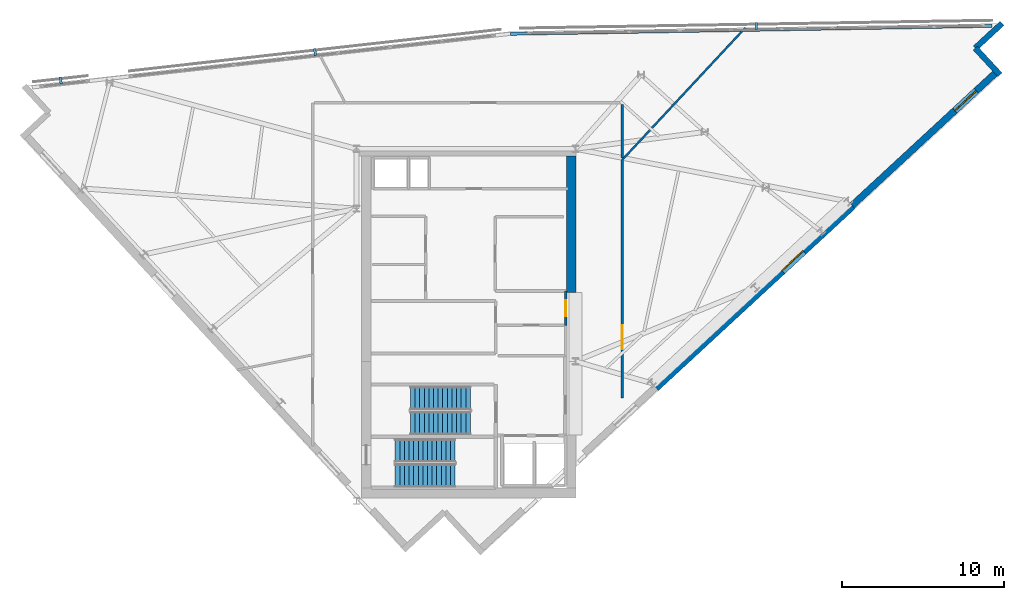
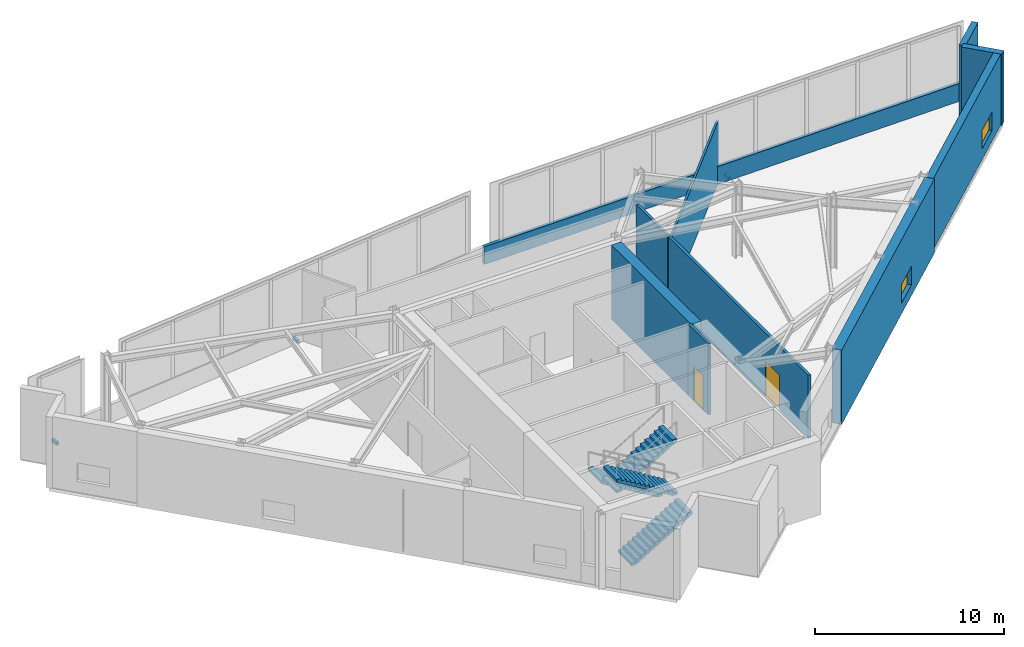
# One storey, part 10 of 12: 10 walls, 4 stair flights, 3 discrete accessories, 2 doors, 2 windows, 4 openings, 2 elements without a shape of their own.
"""IFC4 building model written with IfcOpenShell, lengths in metres."""

from ifc_helpers import new_model, si_unit, direction, frame, frame_2d, origin, origin_2d, place, context, subcontext, project, spatial, polyline, rectangle, outline, extrude, material, layer, layer_set, type_object, element, fill, aggregate, save


model = new_model("IFC4")

# Units and contexts
model_context = context("Model", 3, precision=1e-05, world=origin(), true_north=direction((0.0, 1.0)))
body_context = subcontext(model_context, "Body", "Model", "MODEL_VIEW")
ifc_project = project(units=[si_unit("LENGTHUNIT", "METRE"), si_unit("AREAUNIT", "SQUARE_METRE"), si_unit("VOLUMEUNIT", "CUBIC_METRE"), si_unit("PLANEANGLEUNIT", "RADIAN"), si_unit("MASSUNIT", "GRAM", prefix="KILO")], contexts=[model_context])

# Site, building, storey
site_placement = place(None, origin())
site = spatial("IfcSite", under=ifc_project, at=site_placement, CompositionType="ELEMENT")
building_placement = place(site_placement, origin())
building = spatial("IfcBuilding", under=site, at=building_placement, Name="Narakoshi Arena Tower", CompositionType="ELEMENT")
storey_placement = place(building_placement, frame((0.0, 0.0, 298.179931640625)))
storey = spatial("IfcBuildingStorey", under=building, at=storey_placement, Name="L81", CompositionType="ELEMENT", Elevation=298.179931640625)

# Wall
ifc_material_1 = material(Name="Concrete C50/60", Category="concrete")
ifc_layer_1 = layer(ifc_material_1, 0.60009765625)
ifc_layer_set_1 = layer_set([ifc_layer_1], Name="Concrete C50/60")
wall_type_1 = type_object("IfcWallType", Name="WL-CORE-600", PredefinedType="SHEAR", material=ifc_layer_set_1)
wall_1_placement = place(storey_placement, frame((85.300048828125, 47.60009765625, -0.199951171875), z_axis=(0.0, 0.0, 1.0), x_axis=(0.0, 1.0, 0.0)))
element("IfcWall", 1, at=wall_1_placement, inside=storey, type_object=wall_type_1, Name="L81 Main Core Shear Wall CW-MN-E", PredefinedType="SHEAR", context=body_context, shape_type="SweptSolid", body=[
    extrude(rectangle(XDim=8.449951171875, YDim=0.60009765625, at=frame_2d((4.22509765625, 0.0))), origin(), (0.0, 0.0, 1.0), 4.800048828125),
])

# Wall, opening, door
ifc_material_2 = material(Name="Gypsum plasterboard fire-rated partition")
ifc_layer_2 = layer(ifc_material_2, 0.1650390625)
ifc_layer_set_2 = layer_set([ifc_layer_2], Name="Gypsum plasterboard fire-rated partition")
wall_type_2 = type_object("IfcWallType", Name="WL-CORR-165", PredefinedType="PARTITIONING", material=ifc_layer_set_2)
wall_2_placement = place(storey_placement, frame((84.949951171875, 45.580078125, 0.0), z_axis=(0.0, 0.0, 1.0), x_axis=(0.0, 1.0, 0.0)))
wall_2 = element("IfcWall", 2, at=wall_2_placement, inside=storey, type_object=wall_type_2, Name="L81 Core Wall CPAS-E", PredefinedType="PARTITIONING", context=body_context, shape_type="SweptSolid", body=[
    extrude(rectangle(XDim=2.119873046875, YDim=0.1650390625, at=frame_2d((1.06005859375, 0.0))), origin(), (0.0, 0.0, 1.0), 4.60009765625),
])
opening_1_placement = place(wall_2_placement, frame((0.56005859375, 0.0, 0.0)))
opening_1 = element("IfcOpeningElement", 3, at=opening_1_placement, cuts=wall_2, Name="Opening D-06", PredefinedType="OPENING", context=body_context, shape_type="SweptSolid", body=[
    extrude(rectangle(XDim=1.0, YDim=2.199951171875, at=frame_2d((0.5, 1.10009765625))), frame((0.0, 0.092529296875, 0.0), z_axis=(0.0, -1.0, 0.0), x_axis=(1.0, 0.0, 0.0)), (0.0, 0.0, 1.0), 0.18505859375),
])
ifc_material_3 = material(Name="Stained oak solid-core timber", Category="wood")
door_type_1 = type_object("IfcDoorType", Name="DR-OFF-1000", OperationType="NOTDEFINED", PredefinedType="DOOR", material=ifc_material_3)
door_1_placement = place(opening_1_placement, frame((1.0, 0.0, 0.0), z_axis=(0.0, 0.0, 1.0), x_axis=(-1.0, 0.0, 0.0)))
door_1 = element("IfcDoor", 4, at=door_1_placement, inside=storey, type_object=door_type_1, Name="DR-L81-007", OperationType="SINGLE_SWING_LEFT", OverallHeight=2.199951171875, OverallWidth=1.0, PredefinedType="DOOR", context=body_context, shape_type="SweptSolid", body=[
    extrude(rectangle(XDim=1.0, YDim=2.199951171875, at=frame_2d((0.5, 1.10009765625))), frame((0.0, 0.02490234375, 0.0), z_axis=(0.0, -1.0, 0.0), x_axis=(1.0, 0.0, 0.0)), (0.0, 0.0, 1.0), 0.050048828125),
])
fill(opening_1, door_1)

wall_3_placement = place(storey_placement, frame((88.449951171875, 41.06201171875, 0.0), z_axis=(0.0, 0.0, 1.0), x_axis=(0.0, 1.0, 0.0)))
wall_3 = element("IfcWall", 5, at=wall_3_placement, inside=storey, type_object=wall_type_2, Name="L81 Corridor Partition 02-1", PredefinedType="PARTITIONING", context=body_context, shape_type="SweptSolid", body=[
    extrude(rectangle(XDim=14.77880859375, YDim=0.1650390625, at=frame_2d((7.389404296875, 0.0))), origin(), (0.0, 0.0, 1.0), 4.0849609375),
])
opening_2_placement = place(wall_3_placement, frame((3.033203125, 0.0, 0.0)))
opening_2 = element("IfcOpeningElement", 6, at=opening_2_placement, cuts=wall_3, Name="Opening D-09", PredefinedType="OPENING", context=body_context, shape_type="SweptSolid", body=[
    extrude(rectangle(XDim=1.5, YDim=2.25, at=frame_2d((0.75, 1.125))), frame((0.0, 0.092529296875, 0.0), z_axis=(0.0, -1.0, 0.0), x_axis=(1.0, 0.0, 0.0)), (0.0, 0.0, 1.0), 0.18505859375),
])
ifc_material_4 = material(Name="Painted galvanized steel", Category="steel")
door_type_2 = type_object("IfcDoorType", Name="DR-PLT-1500", OperationType="DOUBLE_DOOR_SINGLE_SWING", PredefinedType="DOOR", material=ifc_material_4)
door_2_placement = place(opening_2_placement, frame((1.5, 0.0, 0.0), z_axis=(0.0, 0.0, 1.0), x_axis=(-1.0, 0.0, 0.0)))
door_2 = element("IfcDoor", 7, at=door_2_placement, inside=storey, type_object=door_type_2, Name="DR-L81-014", OperationType="DOUBLE_DOOR_SINGLE_SWING", OverallHeight=2.25, OverallWidth=1.5, PredefinedType="DOOR", context=body_context, shape_type="SweptSolid", body=[
    extrude(rectangle(XDim=1.5, YDim=2.25, at=frame_2d((0.75, 1.125))), frame((0.0, 0.02490234375, 0.0), z_axis=(0.0, -1.0, 0.0), x_axis=(1.0, 0.0, 0.0)), (0.0, 0.0, 1.0), 0.050048828125),
])
fill(opening_2, door_2)

# Wall
wall_4_placement = place(storey_placement, frame((88.449951171875, 55.925048828125, 0.0), z_axis=(0.0, 0.0, 1.0), x_axis=(0.0, 1.0, 0.0)))
element("IfcWall", 8, at=wall_4_placement, inside=storey, type_object=wall_type_2, Name="L81 Corridor Partition 03-2", PredefinedType="PARTITIONING", context=body_context, shape_type="SweptSolid", body=[
    extrude(rectangle(XDim=3.33056640625, YDim=0.1650390625, at=frame_2d((1.665283203125, 0.0))), origin(), (0.0, 0.0, 1.0), 4.0849609375),
])

# Wall, opening, window
ifc_layer_3 = layer(ifc_material_1, 0.550048828125)
ifc_layer_set_3 = layer_set([ifc_layer_3], Name="Concrete C50/60")
wall_type_3 = type_object("IfcWallType", Name="WL-LEG-550", PredefinedType="SHEAR", material=ifc_layer_set_3)
wall_5_placement = place(storey_placement, frame((90.5078125, 41.739501953125, -0.199951171875), z_axis=(0.0, 0.0, 1.0), x_axis=(0.734315848115, 0.678807951638, 0.0)))
wall_5 = element("IfcWall", 9, at=wall_5_placement, inside=storey, type_object=wall_type_3, Name="L81 Architectural Concrete Structural Wall LEGA-3", PredefinedType="SHEAR", context=body_context, shape_type="SweptSolid", body=[
    extrude(outline(polyline([(0.0, 0.0), (16.57275390625, 0.0), (16.572998046875, 4.800048828125), (0.0, 4.800048828125), (0.0, 0.0)])), frame((0.0, 0.27490234375, 0.0), z_axis=(0.0, -1.0, 0.0), x_axis=(1.0, 0.0, 0.0)), (0.0, 0.0, 1.0), 0.550048828125),
])
opening_3_placement = place(wall_5_placement, frame((10.654052734375, 0.0, 0.699951171875)))
opening_3 = element("IfcOpeningElement", 10, at=opening_3_placement, cuts=wall_5, Name="Opening WN-05", PredefinedType="OPENING", context=body_context, shape_type="SweptSolid", body=[
    extrude(rectangle(XDim=1.800048828125, YDim=1.199951171875, at=frame_2d((0.89990234375, 0.60009765625))), frame((0.0, 0.284912109375, 0.0), z_axis=(0.0, -1.0, 0.0), x_axis=(1.0, 0.0, 0.0)), (0.0, 0.0, 1.0), 0.570068359375),
])
ifc_material_5 = material(Name="Bronze-tinted low-E laminated glass", Category="glass")
window_type = type_object("IfcWindowType", Name="WIN-SLT-18x12", PartitioningType="SINGLE_PANEL", PredefinedType="WINDOW", material=ifc_material_5)
window_1_placement = place(opening_3_placement, origin())
window_1 = element("IfcWindow", 11, at=window_1_placement, inside=storey, type_object=window_type, Name="L81 LEGA3 Horizontal Slot Window 1", OverallHeight=1.199951171875, OverallWidth=1.800048828125, PartitioningType="SINGLE_PANEL", PredefinedType="WINDOW", context=body_context, shape_type="SweptSolid", body=[
    extrude(rectangle(XDim=1.800048828125, YDim=1.199951171875, at=frame_2d((0.89990234375, 0.60009765625))), frame((0.0, 0.030029296875, 0.0), z_axis=(0.0, -1.0, 0.0), x_axis=(1.0, 0.0, 0.0)), (0.0, 0.0, 1.0), 0.06005859375),
])
fill(opening_3, window_1)

# Walls
ifc_material_6 = material(Name="Precast concrete C45/55", Category="concrete")
ifc_layer_4 = layer(ifc_material_6, 0.25)
ifc_layer_set_4 = layer_set([ifc_layer_4], Name="Precast concrete C45/55")
wall_type_4 = type_object("IfcWallType", Name="WL-PARA-250", PredefinedType="PARAPET", material=ifc_layer_set_4)
wall_6_placement = place(storey_placement, frame((81.5478515625, 63.622802734375, 0.0), z_axis=(0.0, 0.0, 1.0), x_axis=(0.999864617327, 0.016454392015, 0.0)))
element("IfcWall", 12, at=wall_6_placement, inside=storey, type_object=wall_type_4, Name="L81 Crown Sill Upstand Parapet 04", PredefinedType="PARAPET", context=body_context, shape_type="SweptSolid", body=[
    extrude(rectangle(XDim=29.77880859375, YDim=0.199951171875, at=frame_2d((14.889404296875, 0.0))), origin(), (0.0, 0.0, 1.0), 1.150146484375),
])
ifc_layer_5 = layer(ifc_material_2, 0.125)
ifc_layer_set_5 = layer_set([ifc_layer_5], Name="Gypsum plasterboard fire-rated partition")
wall_type_5 = type_object("IfcWallType", Name="WL-PART-125", PredefinedType="PARTITIONING", material=ifc_layer_set_5)
wall_7_placement = place(storey_placement, frame((88.47314453125, 55.8408203125, 0.0), z_axis=(0.0, 0.0, 1.0), x_axis=(0.681680867202, 0.731649639712, 0.0)))
element("IfcWall", 13, at=wall_7_placement, inside=storey, type_object=wall_type_5, Name="L81 Inter-Room Partition 02-03", PredefinedType="PARTITIONING", context=body_context, shape_type="SweptSolid", body=[
    extrude(rectangle(XDim=11.154541015625, YDim=0.125, at=frame_2d((5.5771484375, 0.0))), origin(), (0.0, 0.0, 1.0), 3.985107421875),
])

# Wall, opening, window
ifc_layer_6 = layer(ifc_material_6, 0.419921875)
ifc_layer_set_6 = layer_set([ifc_layer_6], Name="Precast concrete C45/55")
wall_type_6 = type_object("IfcWallType", Name="WL-POD-420", PredefinedType="SOLIDWALL", material=ifc_layer_set_6)
wall_8_placement = place(storey_placement, frame((102.677490234375, 52.9892578125, 0.0), z_axis=(0.0, 0.0, 1.0), x_axis=(0.734331107219, 0.678791444386, 0.0)))
wall_8 = element("IfcWall", 14, at=wall_8_placement, inside=storey, type_object=wall_type_6, Name="L81 Architectural Concrete Facade Wall LEGA-4", PredefinedType="SOLIDWALL", context=body_context, shape_type="SweptSolid", body=[
    extrude(outline(polyline([(0.0, 0.0), (12.21142578125, 0.0), (12.211669921875, 4.60009765625), (0.0, 4.60009765625), (0.0, 0.0)])), frame((0.0, 0.2099609375, 0.0), z_axis=(0.0, -1.0, 0.0), x_axis=(1.0, 0.0, 0.0)), (0.0, 0.0, 1.0), 0.419921875),
])
opening_4_placement = place(wall_8_placement, frame((8.665283203125, 0.0, 0.699951171875)))
opening_4 = element("IfcOpeningElement", 15, at=opening_4_placement, cuts=wall_8, Name="Opening WN-05", PredefinedType="OPENING", context=body_context, shape_type="SweptSolid", body=[
    extrude(rectangle(XDim=1.800048828125, YDim=1.199951171875, at=frame_2d((0.89990234375, 0.60009765625))), frame((0.0, 0.219970703125, 0.0), z_axis=(0.0, -1.0, 0.0), x_axis=(1.0, 0.0, 0.0)), (0.0, 0.0, 1.0), 0.43994140625),
])
window_2_placement = place(opening_4_placement, origin())
window_2 = element("IfcWindow", 16, at=window_2_placement, inside=storey, type_object=window_type, Name="L81 LEGA4 Horizontal Slot Window 1", OverallHeight=1.199951171875, OverallWidth=1.800048828125, PartitioningType="SINGLE_PANEL", PredefinedType="WINDOW", context=body_context, shape_type="SweptSolid", body=[
    extrude(rectangle(XDim=1.800048828125, YDim=1.199951171875, at=frame_2d((0.89990234375, 0.60009765625))), frame((0.0, 0.030029296875, 0.0), z_axis=(0.0, -1.0, 0.0), x_axis=(1.0, 0.0, 0.0)), (0.0, 0.0, 1.0), 0.06005859375),
])
fill(opening_4, window_2)

# Walls
for number, where, z_axis, x_axis, name in (
    (17, (111.83154296875, 61.076416015625, 0.0), (0.0, 0.0, 1.0), (-0.678792531533, 0.734330102294, 0.0), "L81 Re-Entrant Corner Notch Wall NTE-1"),
    (18, (110.30078125, 62.732421875, 0.0), (0.0, 0.0, 1.0), (0.734330102294, 0.678792531533, 0.0), "L81 Re-Entrant Corner Notch Wall NTE-2"),
):
    element("IfcWall", number, at=place(storey_placement, frame(where, z_axis=z_axis, x_axis=x_axis)), inside=storey, type_object=wall_type_6, Name=name, PredefinedType="SOLIDWALL", context=body_context, shape_type="SweptSolid", body=[
        extrude(rectangle(XDim=2.255126953125, YDim=0.360107421875, at=frame_2d((1.12744140625, 0.0))), origin(), (0.0, 0.0, 1.0), 4.60009765625),
    ])

# Stair, stair flights
ifc_material_7 = material(Name="Concrete C45/55", Category="concrete")
stair_type = type_object("IfcStairType", Name="STR-CRN-480", PredefinedType="TWO_STRAIGHT_RUN_STAIR", material=ifc_material_7)
stair_1_placement = place(storey_placement, origin())
stair_1 = element("IfcStair", 19, at=stair_1_placement, inside=storey, type_object=stair_type, Name="L81 Core Escape Stair ST1", PredefinedType="TWO_STRAIGHT_RUN_STAIR")
stair_flight_type = type_object("IfcStairFlightType", Name="FLT-135-160", PredefinedType="STRAIGHT", material=ifc_material_6)
stair_flight_1_placement = place(storey_placement, frame((74.39990234375, 36.27490234375, 0.0), z_axis=(0.0, 0.0, 1.0), x_axis=(1.0, 0.0, 0.0)))
stair_flight_1 = element("IfcStairFlight", 20, at=stair_flight_1_placement, type_object=stair_flight_type, Name="ST1 flight 1", NumberOfRisers=14, NumberOfTreads=13, PredefinedType="STRAIGHT", RiserHeight=0.171428571, TreadLength=0.285, context=body_context, shape_type="SweptSolid", body=[
    extrude(outline(polyline([(0.0, 0.0), (0.0, 0.17138671875), (0.284912109375, 0.17138671875), (0.284912109375, 0.3427734375), (0.570068359375, 0.3427734375), (0.570068359375, 0.514404296875), (0.85498046875, 0.514404296875), (0.85498046875, 0.685791015625), (1.139892578125, 0.685791015625), (1.139892578125, 0.857177734375), (1.425048828125, 0.857177734375), (1.425048828125, 1.028564453125), (1.7099609375, 1.028564453125), (1.7099609375, 1.199951171875), (1.9951171875, 1.199951171875), (1.9951171875, 1.371337890625), (2.280029296875, 1.371337890625), (2.280029296875, 1.54296875), (2.56494140625, 1.54296875), (2.56494140625, 1.71435546875), (2.85009765625, 1.71435546875), (2.85009765625, 1.8857421875), (3.135009765625, 1.8857421875), (3.135009765625, 2.05712890625), (3.419921875, 2.05712890625), (3.419921875, 2.228515625), (3.705078125, 2.228515625), (3.705078125, 2.39990234375), (3.705078125, 2.0537109375), (0.290771484375, 0.0), (0.0, 0.0)])), frame((0.0, 0.72509765625, 0.0), z_axis=(0.0, -1.0, 0.0), x_axis=(1.0, 0.0, 0.0)), (0.0, 0.0, 1.0), 1.449951171875),
])
stair_flight_2_placement = place(storey_placement, frame((78.10498046875, 37.824951171875, 2.400146484375), z_axis=(0.0, 0.0, 1.0), x_axis=(-1.0, 0.0, 0.0)))
stair_flight_2 = element("IfcStairFlight", 21, at=stair_flight_2_placement, type_object=stair_flight_type, Name="ST1 flight 2", NumberOfRisers=14, NumberOfTreads=13, PredefinedType="STRAIGHT", RiserHeight=0.171428571, TreadLength=0.285, context=body_context, shape_type="SweptSolid", body=[
    extrude(outline(polyline([(0.0, 0.0), (0.0, 0.17138671875), (0.284912109375, 0.17138671875), (0.284912109375, 0.3427734375), (0.570068359375, 0.3427734375), (0.570068359375, 0.514404296875), (0.85498046875, 0.514404296875), (0.85498046875, 0.685791015625), (1.139892578125, 0.685791015625), (1.139892578125, 0.857177734375), (1.425048828125, 0.857177734375), (1.425048828125, 1.028564453125), (1.7099609375, 1.028564453125), (1.7099609375, 1.199951171875), (1.9951171875, 1.199951171875), (1.9951171875, 1.371337890625), (2.280029296875, 1.371337890625), (2.280029296875, 1.54296875), (2.56494140625, 1.54296875), (2.56494140625, 1.71435546875), (2.85009765625, 1.71435546875), (2.85009765625, 1.8857421875), (3.135009765625, 1.8857421875), (3.135009765625, 2.05712890625), (3.419921875, 2.05712890625), (3.419921875, 2.228515625), (3.705078125, 2.228515625), (3.705078125, 2.39990234375), (3.705078125, 2.0537109375), (0.290771484375, 0.0), (0.0, 0.0)])), frame((0.0, 0.72509765625, 0.0), z_axis=(0.0, -1.0, 0.0), x_axis=(1.0, 0.0, 0.0)), (0.0, 0.0, 1.0), 1.449951171875),
])
aggregate(stair_1, [stair_flight_1, stair_flight_2])

stair_2_placement = place(storey_placement, origin())
stair_2 = element("IfcStair", 22, at=stair_2_placement, inside=storey, type_object=stair_type, Name="L81 Core Escape Stair ST2", PredefinedType="TWO_STRAIGHT_RUN_STAIR")
stair_flight_3_placement = place(storey_placement, frame((79.050048828125, 41.074951171875, 0.0), z_axis=(0.0, 0.0, 1.0), x_axis=(-1.0, 0.0, 0.0)))
stair_flight_3 = element("IfcStairFlight", 23, at=stair_flight_3_placement, type_object=stair_flight_type, Name="ST2 flight 1", NumberOfRisers=14, NumberOfTreads=13, PredefinedType="STRAIGHT", RiserHeight=0.171428571, TreadLength=0.285, context=body_context, shape_type="SweptSolid", body=[
    extrude(outline(polyline([(0.0, 0.0), (0.0, 0.17138671875), (0.284912109375, 0.17138671875), (0.284912109375, 0.3427734375), (0.570068359375, 0.3427734375), (0.570068359375, 0.514404296875), (0.85498046875, 0.514404296875), (0.85498046875, 0.685791015625), (1.139892578125, 0.685791015625), (1.139892578125, 0.857177734375), (1.425048828125, 0.857177734375), (1.425048828125, 1.028564453125), (1.7099609375, 1.028564453125), (1.7099609375, 1.199951171875), (1.9951171875, 1.199951171875), (1.9951171875, 1.371337890625), (2.280029296875, 1.371337890625), (2.280029296875, 1.54296875), (2.56494140625, 1.54296875), (2.56494140625, 1.71435546875), (2.85009765625, 1.71435546875), (2.85009765625, 1.8857421875), (3.135009765625, 1.8857421875), (3.135009765625, 2.05712890625), (3.419921875, 2.05712890625), (3.419921875, 2.228515625), (3.705078125, 2.228515625), (3.705078125, 2.39990234375), (3.705078125, 2.0537109375), (0.290771484375, 0.0), (0.0, 0.0)])), frame((0.0, 0.72509765625, 0.0), z_axis=(0.0, -1.0, 0.0), x_axis=(1.0, 0.0, 0.0)), (0.0, 0.0, 1.0), 1.449951171875),
])
stair_flight_4_placement = place(storey_placement, frame((75.344970703125, 39.52490234375, 2.400146484375), z_axis=(0.0, 0.0, 1.0), x_axis=(1.0, 0.0, 0.0)))
stair_flight_4 = element("IfcStairFlight", 24, at=stair_flight_4_placement, type_object=stair_flight_type, Name="ST2 flight 2", NumberOfRisers=14, NumberOfTreads=13, PredefinedType="STRAIGHT", RiserHeight=0.171428571, TreadLength=0.285, context=body_context, shape_type="SweptSolid", body=[
    extrude(outline(polyline([(0.0, 0.0), (0.0, 0.17138671875), (0.284912109375, 0.17138671875), (0.284912109375, 0.3427734375), (0.570068359375, 0.3427734375), (0.570068359375, 0.514404296875), (0.85498046875, 0.514404296875), (0.85498046875, 0.685791015625), (1.139892578125, 0.685791015625), (1.139892578125, 0.857177734375), (1.425048828125, 0.857177734375), (1.425048828125, 1.028564453125), (1.7099609375, 1.028564453125), (1.7099609375, 1.199951171875), (1.9951171875, 1.199951171875), (1.9951171875, 1.371337890625), (2.280029296875, 1.371337890625), (2.280029296875, 1.54296875), (2.56494140625, 1.54296875), (2.56494140625, 1.71435546875), (2.85009765625, 1.71435546875), (2.85009765625, 1.8857421875), (3.135009765625, 1.8857421875), (3.135009765625, 2.05712890625), (3.419921875, 2.05712890625), (3.419921875, 2.228515625), (3.705078125, 2.228515625), (3.705078125, 2.39990234375), (3.705078125, 2.0537109375), (0.290771484375, 0.0), (0.0, 0.0)])), frame((0.0, 0.72509765625, 0.0), z_axis=(0.0, -1.0, 0.0), x_axis=(1.0, 0.0, 0.0)), (0.0, 0.0, 1.0), 1.449951171875),
])
aggregate(stair_2, [stair_flight_3, stair_flight_4])

# Discrete accessories
ifc_material_8 = material(Name="Structural steel S355J2", Category="steel")
discrete_accessory_type = type_object("IfcDiscreteAccessoryType", Name="ACC-BRK-SCR", PredefinedType="BRACKET", material=ifc_material_8)
for number, where, z_axis, x_axis, name in (
    (25, (53.699951171875, 60.722900390625, -0.080078125), (0.0, 0.0, 1.0), (0.993775698738, 0.111399553846, 0.0), "L81 Solar Screen Support Bracket SHD-L81-CRNSCR5S1"),
    (26, (69.438232421875, 62.487060546875, -0.080078125), (0.0, 0.0, 1.0), (0.993775698738, 0.111399553846, 0.0), "L81 Solar Screen Support Bracket SHD-L81-CRNSCR5S2"),
    (27, (96.746337890625, 64.093017578125, -0.080078125), (0.0, 0.0, 1.0), (0.999864849778, 0.016440260879, 0.0), "L81 Solar Screen Support Bracket SHD-L81-CRNSCR6S1"),
):
    element("IfcDiscreteAccessory", number, at=place(storey_placement, frame(where, z_axis=z_axis, x_axis=x_axis)), inside=storey, type_object=discrete_accessory_type, Name=name, PredefinedType="BRACKET", context=body_context, shape_type="SweptSolid", body=[
        extrude(rectangle(XDim=0.159912109375, YDim=0.43994140625, at=origin_2d()), origin(), (0.0, 0.0, 1.0), 0.199951171875),
    ])

save(model, "model.ifc")
